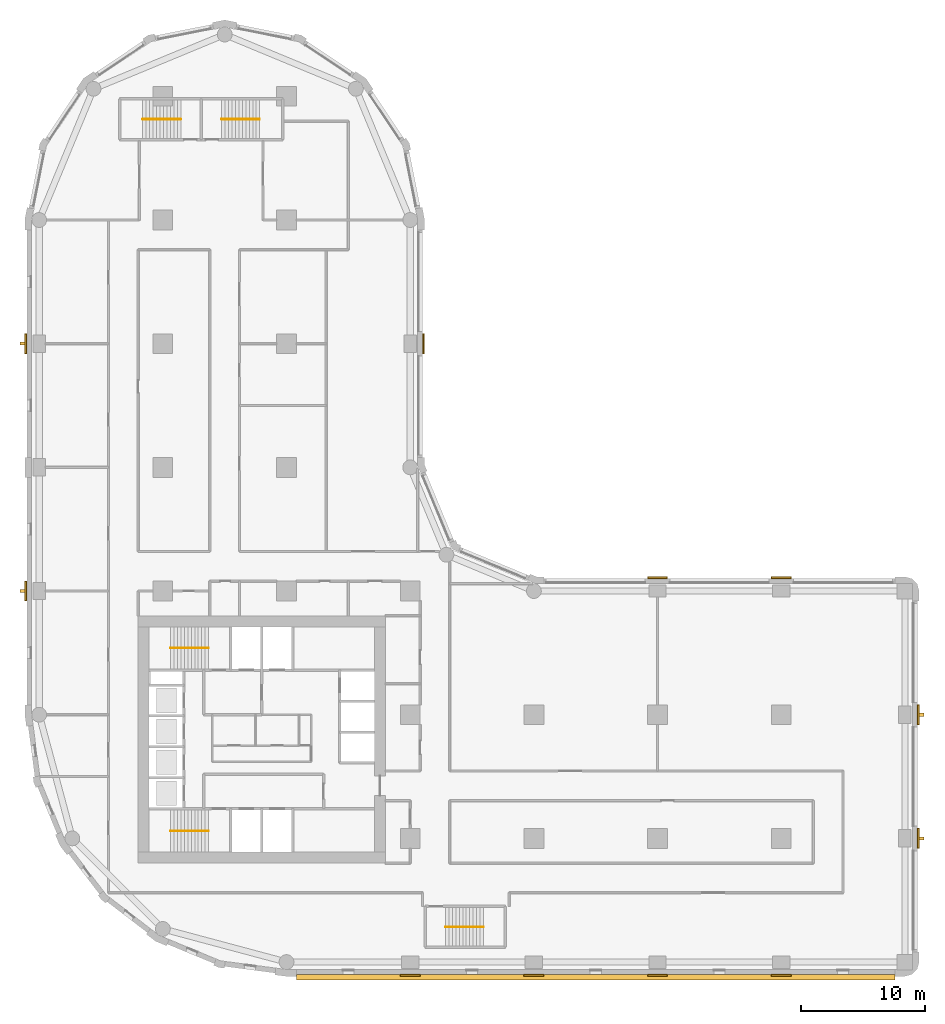
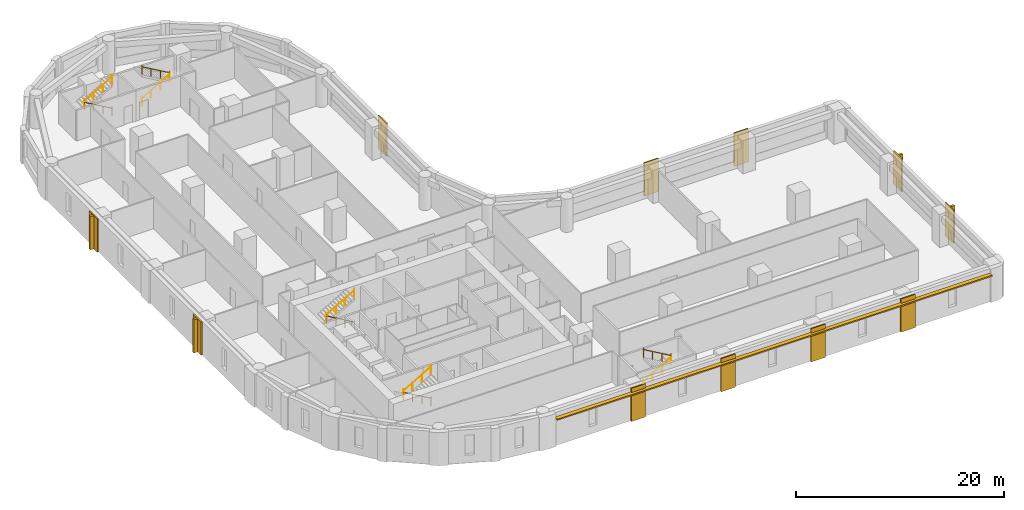
# One storey, part 9 of 10: 11 coverings, 10 railings, 5 shading devices.
"""IFC4 building model written with IfcOpenShell, lengths in metres."""

from ifc_helpers import new_model, si_unit, direction, frame, origin, origin_2d, place, context, subcontext, project, spatial, polyline, rectangle, circle, outline, extrude, material, layer, layer_set, type_object, element, save


model = new_model("IFC4")

# Units and contexts
model_context = context("Model", 3, precision=1e-05, world=origin(), true_north=direction((0.0, 1.0)))
body_context = subcontext(model_context, "Body", "Model", "MODEL_VIEW")
ifc_project = project(units=[si_unit("LENGTHUNIT", "METRE"), si_unit("AREAUNIT", "SQUARE_METRE"), si_unit("VOLUMEUNIT", "CUBIC_METRE"), si_unit("PLANEANGLEUNIT", "RADIAN"), si_unit("MASSUNIT", "GRAM", prefix="KILO")], contexts=[model_context])

# Site, building, storey
site_placement = place(None, origin())
site = spatial("IfcSite", under=ifc_project, at=site_placement, CompositionType="ELEMENT")
building_placement = place(site_placement, origin())
building = spatial("IfcBuilding", under=site, at=building_placement, Name="Qaws Garden Tower", CompositionType="ELEMENT")
storey_placement = place(building_placement, frame((0.0, 0.0, 62.699951171875)))
storey = spatial("IfcBuildingStorey", under=building, at=storey_placement, Name="L15", CompositionType="ELEMENT", Elevation=62.699951171875)

# Coverings
ifc_material_1 = material(Name="Clay facing brick masonry", Category="masonry")
ifc_layer_1 = layer(ifc_material_1, 0.14990234375)
ifc_layer_set_1 = layer_set([ifc_layer_1], Name="Clay facing brick masonry")
covering_type = type_object("IfcCoveringType", Name="Brick pilaster facing 150 x 1600", PredefinedType="CLADDING", material=ifc_layer_set_1)
placement = place(storey_placement, origin())
element("IfcCovering", 1, at=placement, inside=storey, type_object=covering_type, Name="E-L15-pier-01", PredefinedType="CLADDING", context=body_context, shape_type="SweptSolid", body=[
    extrude(outline(polyline([(29.199951171875, -1.0), (30.800048828125, -1.0), (30.800048828125, -1.14990234375), (29.199951171875, -1.14990234375), (29.199951171875, -1.0)])), origin(), (0.0, 0.0, 1.0), 3.900146484375),
])
element("IfcCovering", 2, at=placement, inside=storey, type_object=covering_type, Name="E-L15-pier-02", PredefinedType="CLADDING", context=body_context, shape_type="SweptSolid", body=[
    extrude(outline(polyline([(39.199951171875, -1.0), (40.800048828125, -1.0), (40.800048828125, -1.14990234375), (39.199951171875, -1.14990234375), (39.199951171875, -1.0)])), origin(), (0.0, 0.0, 1.0), 3.900146484375),
])
element("IfcCovering", 3, at=placement, inside=storey, type_object=covering_type, Name="E-L15-pier-03", PredefinedType="CLADDING", context=body_context, shape_type="SweptSolid", body=[
    extrude(outline(polyline([(49.199951171875, -1.0), (50.800048828125, -1.0), (50.800048828125, -1.14990234375), (49.199951171875, -1.14990234375), (49.199951171875, -1.0)])), origin(), (0.0, 0.0, 1.0), 3.900146484375),
])
element("IfcCovering", 4, at=placement, inside=storey, type_object=covering_type, Name="E-L15-pier-04", PredefinedType="CLADDING", context=body_context, shape_type="SweptSolid", body=[
    extrude(outline(polyline([(59.199951171875, -1.0), (60.800048828125, -1.0), (60.800048828125, -1.14990234375), (59.199951171875, -1.14990234375), (59.199951171875, -1.0)])), origin(), (0.0, 0.0, 1.0), 3.900146484375),
])
element("IfcCovering", 5, at=placement, inside=storey, type_object=covering_type, Name="E-L15-pier-06", PredefinedType="CLADDING", context=body_context, shape_type="SweptSolid", body=[
    extrude(outline(polyline([(71.0, 9.199951171875), (71.0, 10.800048828125), (71.14990234375, 10.800048828125), (71.14990234375, 9.199951171875), (71.0, 9.199951171875)])), origin(), (0.0, 0.0, 1.0), 3.900146484375),
])
element("IfcCovering", 6, at=placement, inside=storey, type_object=covering_type, Name="E-L15-pier-07", PredefinedType="CLADDING", context=body_context, shape_type="SweptSolid", body=[
    extrude(outline(polyline([(71.0, 19.199951171875), (71.0, 20.800048828125), (71.14990234375, 20.800048828125), (71.14990234375, 19.199951171875), (71.0, 19.199951171875)])), origin(), (0.0, 0.0, 1.0), 3.900146484375),
])
element("IfcCovering", 7, at=placement, inside=storey, type_object=covering_type, Name="E-L15-pier-09", PredefinedType="CLADDING", context=body_context, shape_type="SweptSolid", body=[
    extrude(outline(polyline([(60.800048828125, 31.0), (59.199951171875, 31.0), (59.199951171875, 31.14990234375), (60.800048828125, 31.14990234375), (60.800048828125, 31.0)])), origin(), (0.0, 0.0, 1.0), 3.900146484375),
])
element("IfcCovering", 8, at=placement, inside=storey, type_object=covering_type, Name="E-L15-pier-10", PredefinedType="CLADDING", context=body_context, shape_type="SweptSolid", body=[
    extrude(outline(polyline([(50.800048828125, 31.0), (49.199951171875, 31.0), (49.199951171875, 31.14990234375), (50.800048828125, 31.14990234375), (50.800048828125, 31.0)])), origin(), (0.0, 0.0, 1.0), 3.900146484375),
])
element("IfcCovering", 9, at=placement, inside=storey, type_object=covering_type, Name="E-L15-pier-14", PredefinedType="CLADDING", context=body_context, shape_type="SweptSolid", body=[
    extrude(outline(polyline([(31.0, 49.199951171875), (31.0, 50.800048828125), (31.14990234375, 50.800048828125), (31.14990234375, 49.199951171875), (31.0, 49.199951171875)])), origin(), (0.0, 0.0, 1.0), 3.900146484375),
])
element("IfcCovering", 10, at=placement, inside=storey, type_object=covering_type, Name="E-L15-pier-24", PredefinedType="CLADDING", context=body_context, shape_type="SweptSolid", body=[
    extrude(outline(polyline([(-1.0, 50.800048828125), (-1.0, 49.199951171875), (-1.14990234375, 49.199951171875), (-1.14990234375, 50.800048828125), (-1.0, 50.800048828125)])), origin(), (0.0, 0.0, 1.0), 3.900146484375),
])
element("IfcCovering", 11, at=placement, inside=storey, type_object=covering_type, Name="E-L15-pier-26", PredefinedType="CLADDING", context=body_context, shape_type="SweptSolid", body=[
    extrude(outline(polyline([(-1.0, 30.800048828125), (-1.0, 29.199951171875), (-1.14990234375, 29.199951171875), (-1.14990234375, 30.800048828125), (-1.0, 30.800048828125)])), origin(), (0.0, 0.0, 1.0), 3.900146484375),
])

# Shading devices
ifc_material_2 = material(Name="Clay facing brick masonry", Category="masonry")
ifc_layer_2 = layer(ifc_material_2, 0.14990234375)
ifc_layer_set_2 = layer_set([ifc_layer_2], Name="Clay facing brick masonry")
shading_device_type_1 = type_object("IfcShadingDeviceType", Name="Brick sunshade band 450 x 150", PredefinedType="JALOUSIE", material=ifc_layer_set_2)
shading_device_placement = place(storey_placement, frame((0.0, 0.0, 3.25)))
element("IfcShadingDevice", 12, at=shading_device_placement, inside=storey, type_object=shading_device_type_1, Name="SUNSHADE 00", PredefinedType="JALOUSIE", context=body_context, shape_type="SweptSolid", body=[
    extrude(outline(polyline([(20.800048828125, -1.0), (20.800048828125, -1.449951171875), (69.199951171875, -1.449951171875), (69.199951171875, -1.0), (60.800048828125, -1.0), (60.800048828125, -1.14990234375), (59.199951171875, -1.14990234375), (59.199951171875, -1.0), (50.800048828125, -1.0), (50.800048828125, -1.14990234375), (49.199951171875, -1.14990234375), (49.199951171875, -1.0), (40.800048828125, -1.0), (40.800048828125, -1.14990234375), (39.199951171875, -1.14990234375), (39.199951171875, -1.0), (30.800048828125, -1.0), (30.800048828125, -1.14990234375), (29.199951171875, -1.14990234375), (29.199951171875, -1.0), (20.800048828125, -1.0)])), origin(), (0.0, 0.0, 1.0), 0.150146484375),
])
ifc_material_3 = material(Name="Clay facing brick masonry", Category="masonry")
ifc_layer_3 = layer(ifc_material_3, 0.25)
ifc_layer_set_3 = layer_set([ifc_layer_3], Name="Clay facing brick masonry")
shading_device_type_2 = type_object("IfcShadingDeviceType", Name="Brick-faced fin 250 x 400", PredefinedType="USERDEFINED", material=ifc_layer_set_3)
for number, where, z_axis, x_axis, name in (
    (13, (71.35009765625, 10.0, 0.0), (0.0, 0.0, 1.0), (0.0, 1.0, 0.0), "FIN 06"),
    (14, (71.35009765625, 20.0, 0.0), (0.0, 0.0, 1.0), (0.0, 1.0, 0.0), "FIN 07"),
    (15, (-1.35009765625, 50.0, 0.0), (0.0, 0.0, 1.0), (0.0, -1.0, 0.0), "FIN 24"),
    (16, (-1.35009765625, 30.0, 0.0), (0.0, 0.0, 1.0), (0.0, -1.0, 0.0), "FIN 26"),
):
    element("IfcShadingDevice", number, at=place(storey_placement, frame(where, z_axis=z_axis, x_axis=x_axis)), inside=storey, type_object=shading_device_type_2, Name=name, ObjectType="FIN", PredefinedType="USERDEFINED", context=body_context, shape_type="SweptSolid", body=[
        extrude(rectangle(XDim=0.25, YDim=0.39990234375, at=origin_2d()), origin(), (0.0, 0.0, 1.0), 3.89990234375),
    ])

# Railings
ifc_material_4 = material(Name="Steel S355", Category="steel")
railing_type = type_object("IfcRailingType", Name="Stair handrail 900", PredefinedType="HANDRAIL", material=ifc_material_4)
railing_1_placement = place(storey_placement, frame((13.699951171875, 10.60009765625, 0.16259765625)))
element("IfcRailing", 17, at=railing_1_placement, inside=storey, type_object=railing_type, Name="Stair 1 handrail", PredefinedType="HANDRAIL", context=body_context, shape_type="SweptSolid", body=[
    extrude(circle(Radius=0.02392578125, at=origin_2d()), frame((0.0, 0.0, 0.8759765625), z_axis=(-0.864903211148, 0.0, 0.501938676878), x_axis=(0.0, -1.0, 0.0)), (0.0, 0.0, 1.0), 3.560791015625),
    extrude(circle(Radius=0.02099609375, at=origin_2d()), origin(), (0.0, 0.0, 1.0), 1.06201171875),
    extrude(circle(Radius=0.02099609375, at=origin_2d()), frame((-1.026611328125, 0.0, 0.595703125)), (0.0, 0.0, 1.0), 0.851806640625),
    extrude(circle(Radius=0.02099609375, at=origin_2d()), frame((-2.05322265625, 0.0, 1.191650390625)), (0.0, 0.0, 1.0), 0.851806640625),
    extrude(circle(Radius=0.02099609375, at=origin_2d()), frame((-3.079833984375, 0.0, 1.787353515625)), (0.0, 0.0, 1.0), 1.06201171875),
])
railing_2_placement = place(storey_placement, frame((10.6201171875, 10.60009765625, 2.112548828125)))
element("IfcRailing", 18, at=railing_2_placement, inside=storey, type_object=railing_type, Name="Stair 1 handrail", PredefinedType="HANDRAIL", context=body_context, shape_type="SweptSolid", body=[
    extrude(circle(Radius=0.02392578125, at=origin_2d()), frame((0.0, 0.0, 0.8759765625), z_axis=(0.864873446163, 0.0, 0.501989962173), x_axis=(0.0, 1.0, 0.0)), (0.0, 0.0, 1.0), 3.56103515625),
    extrude(circle(Radius=0.02099609375, at=origin_2d()), origin(), (0.0, 0.0, 1.0), 1.06201171875),
    extrude(circle(Radius=0.02099609375, at=origin_2d()), frame((1.026611328125, 0.0, 0.595947265625)), (0.0, 0.0, 1.0), 0.851806640625),
    extrude(circle(Radius=0.02099609375, at=origin_2d()), frame((2.05322265625, 0.0, 1.191650390625)), (0.0, 0.0, 1.0), 0.851806640625),
    extrude(circle(Radius=0.02099609375, at=origin_2d()), frame((3.079833984375, 0.0, 1.78759765625)), (0.0, 0.0, 1.0), 1.06201171875),
])
railing_3_placement = place(storey_placement, frame((13.699951171875, 25.39990234375, 0.16259765625)))
element("IfcRailing", 19, at=railing_3_placement, inside=storey, type_object=railing_type, Name="Stair 4 handrail", PredefinedType="HANDRAIL", context=body_context, shape_type="SweptSolid", body=[
    extrude(circle(Radius=0.02392578125, at=origin_2d()), frame((0.0, 0.0, 0.8759765625), z_axis=(-0.864903211148, 0.0, 0.501938676878), x_axis=(0.0, -1.0, 0.0)), (0.0, 0.0, 1.0), 3.560791015625),
    extrude(circle(Radius=0.02099609375, at=origin_2d()), origin(), (0.0, 0.0, 1.0), 1.06201171875),
    extrude(circle(Radius=0.02099609375, at=origin_2d()), frame((-1.026611328125, 0.0, 0.595703125)), (0.0, 0.0, 1.0), 0.851806640625),
    extrude(circle(Radius=0.02099609375, at=origin_2d()), frame((-2.05322265625, 0.0, 1.191650390625)), (0.0, 0.0, 1.0), 0.851806640625),
    extrude(circle(Radius=0.02099609375, at=origin_2d()), frame((-3.079833984375, 0.0, 1.787353515625)), (0.0, 0.0, 1.0), 1.06201171875),
])
railing_4_placement = place(storey_placement, frame((10.6201171875, 25.39990234375, 2.112548828125)))
element("IfcRailing", 20, at=railing_4_placement, inside=storey, type_object=railing_type, Name="Stair 4 handrail", PredefinedType="HANDRAIL", context=body_context, shape_type="SweptSolid", body=[
    extrude(circle(Radius=0.02392578125, at=origin_2d()), frame((0.0, 0.0, 0.8759765625), z_axis=(0.864873446163, 0.0, 0.501989962173), x_axis=(0.0, 1.0, 0.0)), (0.0, 0.0, 1.0), 3.56103515625),
    extrude(circle(Radius=0.02099609375, at=origin_2d()), origin(), (0.0, 0.0, 1.0), 1.06201171875),
    extrude(circle(Radius=0.02099609375, at=origin_2d()), frame((1.026611328125, 0.0, 0.595947265625)), (0.0, 0.0, 1.0), 0.851806640625),
    extrude(circle(Radius=0.02099609375, at=origin_2d()), frame((2.05322265625, 0.0, 1.191650390625)), (0.0, 0.0, 1.0), 0.851806640625),
    extrude(circle(Radius=0.02099609375, at=origin_2d()), frame((3.079833984375, 0.0, 1.78759765625)), (0.0, 0.0, 1.0), 1.06201171875),
])
railing_5_placement = place(storey_placement, frame((32.85009765625, 2.85009765625, 0.16259765625)))
element("IfcRailing", 21, at=railing_5_placement, inside=storey, type_object=railing_type, Name="Stair 5 handrail", PredefinedType="HANDRAIL", context=body_context, shape_type="SweptSolid", body=[
    extrude(circle(Radius=0.02392578125, at=origin_2d()), frame((0.0, 0.0, 0.8759765625), z_axis=(0.864903211148, 0.0, 0.501938676878), x_axis=(0.0, 1.0, 0.0)), (0.0, 0.0, 1.0), 3.560791015625),
    extrude(circle(Radius=0.02099609375, at=origin_2d()), origin(), (0.0, 0.0, 1.0), 1.06201171875),
    extrude(circle(Radius=0.02099609375, at=origin_2d()), frame((1.026611328125, 0.0, 0.595703125)), (0.0, 0.0, 1.0), 0.851806640625),
    extrude(circle(Radius=0.02099609375, at=origin_2d()), frame((2.05322265625, 0.0, 1.191650390625)), (0.0, 0.0, 1.0), 0.851806640625),
    extrude(circle(Radius=0.02099609375, at=origin_2d()), frame((3.079833984375, 0.0, 1.787353515625)), (0.0, 0.0, 1.0), 1.06201171875),
])
railing_6_placement = place(storey_placement, frame((35.929931640625, 2.85009765625, 2.112548828125)))
element("IfcRailing", 22, at=railing_6_placement, inside=storey, type_object=railing_type, Name="Stair 5 handrail", PredefinedType="HANDRAIL", context=body_context, shape_type="SweptSolid", body=[
    extrude(circle(Radius=0.02392578125, at=origin_2d()), frame((0.0, 0.0, 0.8759765625), z_axis=(-0.864873446163, 0.0, 0.501989962173), x_axis=(0.0, -1.0, 0.0)), (0.0, 0.0, 1.0), 3.56103515625),
    extrude(circle(Radius=0.02099609375, at=origin_2d()), origin(), (0.0, 0.0, 1.0), 1.06201171875),
    extrude(circle(Radius=0.02099609375, at=origin_2d()), frame((-1.026611328125, 0.0, 0.595947265625)), (0.0, 0.0, 1.0), 0.851806640625),
    extrude(circle(Radius=0.02099609375, at=origin_2d()), frame((-2.05322265625, 0.0, 1.191650390625)), (0.0, 0.0, 1.0), 0.851806640625),
    extrude(circle(Radius=0.02099609375, at=origin_2d()), frame((-3.079833984375, 0.0, 1.78759765625)), (0.0, 0.0, 1.0), 1.06201171875),
])
railing_7_placement = place(storey_placement, frame((11.449951171875, 68.14990234375, 0.16259765625)))
element("IfcRailing", 23, at=railing_7_placement, inside=storey, type_object=railing_type, Name="Stair 6 handrail", PredefinedType="HANDRAIL", context=body_context, shape_type="SweptSolid", body=[
    extrude(circle(Radius=0.02392578125, at=origin_2d()), frame((0.0, 0.0, 0.8759765625), z_axis=(-0.864903211148, 0.0, 0.501938676878), x_axis=(0.0, -1.0, 0.0)), (0.0, 0.0, 1.0), 3.560791015625),
    extrude(circle(Radius=0.02099609375, at=origin_2d()), origin(), (0.0, 0.0, 1.0), 1.06201171875),
    extrude(circle(Radius=0.02099609375, at=origin_2d()), frame((-1.026611328125, 0.0, 0.595703125)), (0.0, 0.0, 1.0), 0.851806640625),
    extrude(circle(Radius=0.02099609375, at=origin_2d()), frame((-2.05322265625, 0.0, 1.191650390625)), (0.0, 0.0, 1.0), 0.851806640625),
    extrude(circle(Radius=0.02099609375, at=origin_2d()), frame((-3.079833984375, 0.0, 1.787353515625)), (0.0, 0.0, 1.0), 1.06201171875),
])
railing_8_placement = place(storey_placement, frame((8.3701171875, 68.14990234375, 2.112548828125)))
element("IfcRailing", 24, at=railing_8_placement, inside=storey, type_object=railing_type, Name="Stair 6 handrail", PredefinedType="HANDRAIL", context=body_context, shape_type="SweptSolid", body=[
    extrude(circle(Radius=0.02392578125, at=origin_2d()), frame((0.0, 0.0, 0.8759765625), z_axis=(0.864873446163, 0.0, 0.501989962173), x_axis=(0.0, 1.0, 0.0)), (0.0, 0.0, 1.0), 3.56103515625),
    extrude(circle(Radius=0.02099609375, at=origin_2d()), origin(), (0.0, 0.0, 1.0), 1.06201171875),
    extrude(circle(Radius=0.02099609375, at=origin_2d()), frame((1.026611328125, 0.0, 0.595947265625)), (0.0, 0.0, 1.0), 0.851806640625),
    extrude(circle(Radius=0.02099609375, at=origin_2d()), frame((2.05322265625, 0.0, 1.191650390625)), (0.0, 0.0, 1.0), 0.851806640625),
    extrude(circle(Radius=0.02099609375, at=origin_2d()), frame((3.079833984375, 0.0, 1.78759765625)), (0.0, 0.0, 1.0), 1.06201171875),
])
railing_9_placement = place(storey_placement, frame((14.75, 68.14990234375, 0.16259765625)))
element("IfcRailing", 25, at=railing_9_placement, inside=storey, type_object=railing_type, Name="Stair 7 handrail", PredefinedType="HANDRAIL", context=body_context, shape_type="SweptSolid", body=[
    extrude(circle(Radius=0.02392578125, at=origin_2d()), frame((0.0, 0.0, 0.8759765625), z_axis=(0.864920483161, 0.0, 0.501908913857), x_axis=(0.0, 1.0, 0.0)), (0.0, 0.0, 1.0), 3.56103515625),
    extrude(circle(Radius=0.02099609375, at=origin_2d()), origin(), (0.0, 0.0, 1.0), 1.06201171875),
    extrude(circle(Radius=0.02099609375, at=origin_2d()), frame((1.026611328125, 0.0, 0.595703125)), (0.0, 0.0, 1.0), 0.851806640625),
    extrude(circle(Radius=0.02099609375, at=origin_2d()), frame((2.053466796875, 0.0, 1.191650390625)), (0.0, 0.0, 1.0), 0.851806640625),
    extrude(circle(Radius=0.02099609375, at=origin_2d()), frame((3.080078125, 0.0, 1.787353515625)), (0.0, 0.0, 1.0), 1.06201171875),
])
railing_10_placement = place(storey_placement, frame((17.830078125, 68.14990234375, 2.112548828125)))
element("IfcRailing", 26, at=railing_10_placement, inside=storey, type_object=railing_type, Name="Stair 7 handrail", PredefinedType="HANDRAIL", context=body_context, shape_type="SweptSolid", body=[
    extrude(circle(Radius=0.02392578125, at=origin_2d()), frame((0.0, 0.0, 0.8759765625), z_axis=(-0.864890721111, 0.0, 0.501960198159), x_axis=(0.0, -1.0, 0.0)), (0.0, 0.0, 1.0), 3.561279296875),
    extrude(circle(Radius=0.02099609375, at=origin_2d()), origin(), (0.0, 0.0, 1.0), 1.06201171875),
    extrude(circle(Radius=0.02099609375, at=origin_2d()), frame((-1.026611328125, 0.0, 0.595947265625)), (0.0, 0.0, 1.0), 0.851806640625),
    extrude(circle(Radius=0.02099609375, at=origin_2d()), frame((-2.053466796875, 0.0, 1.191650390625)), (0.0, 0.0, 1.0), 0.851806640625),
    extrude(circle(Radius=0.02099609375, at=origin_2d()), frame((-3.080078125, 0.0, 1.78759765625)), (0.0, 0.0, 1.0), 1.06201171875),
])

save(model, "model.ifc")
